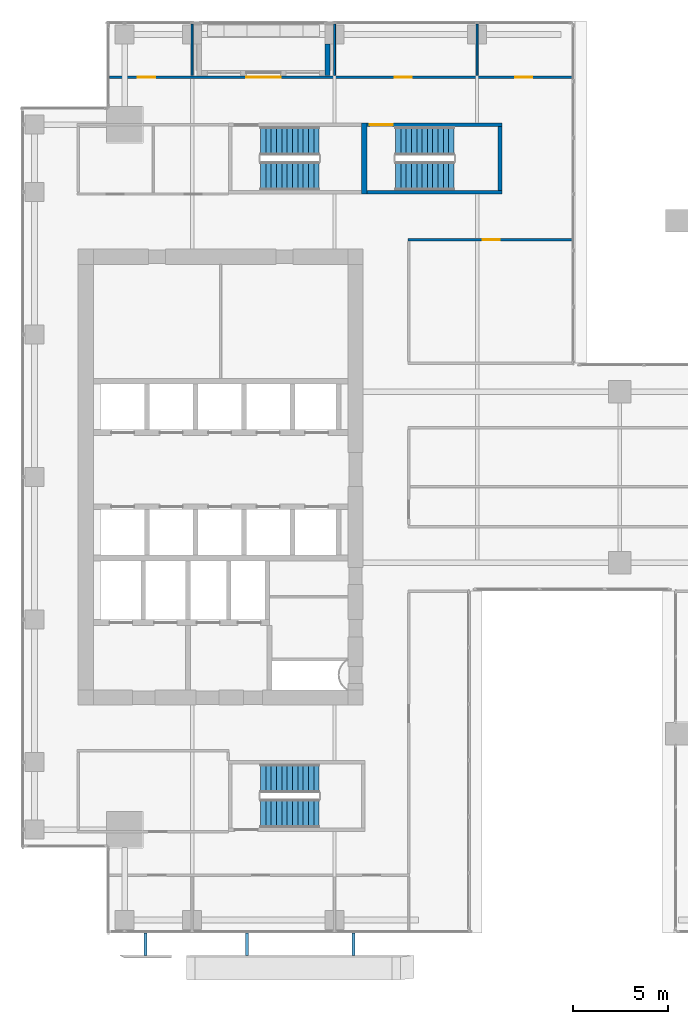
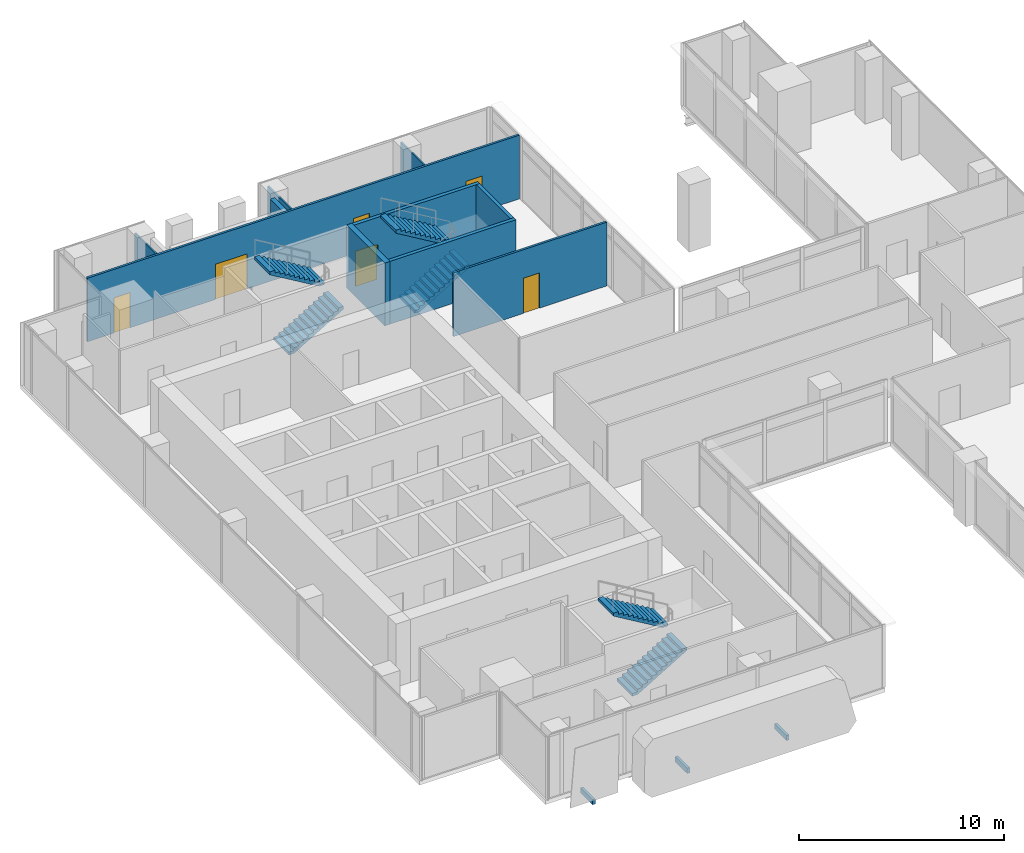
# One storey, part 35 of 38: 10 walls, 6 doors, 6 stair flights, 3 discrete accessories, 6 openings, 3 elements without a shape of their own.
"""IFC4 building model written with IfcOpenShell, lengths in metres."""

from ifc_helpers import new_model, si_unit, direction, frame, frame_2d, origin, origin_2d, place, context, subcontext, project, spatial, polyline, rectangle, outline, extrude, source, transform, mapped, material, layer, layer_set, type_object, element, fill, aggregate, save


model = new_model("IFC4")

# Units and contexts
model_context = context("Model", 3, precision=1e-05, world=origin(), true_north=direction((0.0, 1.0)))
body_context = subcontext(model_context, "Body", "Model", "MODEL_VIEW")
ifc_project = project(units=[si_unit("LENGTHUNIT", "METRE"), si_unit("AREAUNIT", "SQUARE_METRE"), si_unit("VOLUMEUNIT", "CUBIC_METRE"), si_unit("PLANEANGLEUNIT", "RADIAN"), si_unit("MASSUNIT", "GRAM", prefix="KILO")], contexts=[model_context])

# Site, building, storey
site_placement = place(None, origin())
site = spatial("IfcSite", under=ifc_project, at=site_placement, CompositionType="ELEMENT")
building_placement = place(site_placement, origin())
building = spatial("IfcBuilding", under=site, at=building_placement, Name="Khomas Fold Tower", CompositionType="ELEMENT")
storey_placement = place(building_placement, frame((0.0, 0.0, 172.699951171875)))
storey = spatial("IfcBuildingStorey", under=building, at=storey_placement, Name="L37", CompositionType="ELEMENT", Elevation=172.699951171875)

# Wall, opening, door
ifc_material_1 = material(Name="Concrete C50/60", Category="concrete")
ifc_layer_1 = layer(ifc_material_1, 0.199951171875)
ifc_layer_set_1 = layer_set([ifc_layer_1], Name="Concrete C50/60")
wall_type_1 = type_object("IfcWallType", Name="Stair wall 200", PredefinedType="SHEAR", material=ifc_layer_set_1)
shared_shape_1 = source(origin(), body_context, "Body", "SweptSolid", [
    extrude(rectangle(XDim=7.10009765625, YDim=0.199951171875, at=frame_2d((3.550048828125, 0.0))), origin(), (0.0, 0.0, 1.0), 3.75),
])
wall_1_placement = place(storey_placement, frame((21.199951171875, 45.550048828125, 0.0), z_axis=(0.0, 0.0, 1.0), x_axis=(1.0, 0.0, 0.0)))
wall_1 = element("IfcWall", 1, at=wall_1_placement, inside=storey, type_object=wall_type_1, Name="Stair wall SW-ST3-N", PredefinedType="SHEAR", context=body_context, shape_type="MappedRepresentation", body=[
    mapped(shared_shape_1, transform((0.0, 0.0, 0.0))),
])
shared_shape_2 = source(origin(), body_context, "Body", "SweptSolid", [
    extrude(rectangle(XDim=1.199951171875, YDim=2.10009765625, at=frame_2d((0.60009765625, 1.050048828125))), frame((0.0, 0.10986328125, 0.0), z_axis=(0.0, -1.0, 0.0), x_axis=(1.0, 0.0, 0.0)), (0.0, 0.0, 1.0), 0.219970703125),
])
opening_1_placement = place(wall_1_placement, frame((0.14990234375, 0.0, 0.0)))
opening_1 = element("IfcOpeningElement", 2, at=opening_1_placement, cuts=wall_1, Name="Opening SD-ST3", PredefinedType="OPENING", context=body_context, shape_type="MappedRepresentation", body=[
    mapped(shared_shape_2, transform((0.0, 0.0, 0.0))),
])
ifc_material_2 = material(Name="Steel door leaf", Category="steel")
door_type_1 = type_object("IfcDoorType", Name="Stair door 1200x2100 left-hand", OperationType="SINGLE_SWING_LEFT", PredefinedType="DOOR", material=ifc_material_2)
shared_shape_3 = source(origin(), body_context, "Body", "SweptSolid", [
    extrude(rectangle(XDim=1.199951171875, YDim=2.10009765625, at=frame_2d((0.60009765625, 1.050048828125))), frame((0.0, 0.02490234375, 0.0), z_axis=(0.0, -1.0, 0.0), x_axis=(1.0, 0.0, 0.0)), (0.0, 0.0, 1.0), 0.050048828125),
])
door_1_placement = place(opening_1_placement, origin())
door_1 = element("IfcDoor", 3, at=door_1_placement, inside=storey, type_object=door_type_1, Name="Stair door", OperationType="SINGLE_SWING_LEFT", OverallHeight=2.10009765625, OverallWidth=1.199951171875, PredefinedType="DOOR", context=body_context, shape_type="MappedRepresentation", body=[
    mapped(shared_shape_3, transform((0.0, 0.0, 0.0))),
])
fill(opening_1, door_1)

# Walls
wall_2_placement = place(storey_placement, frame((21.199951171875, 42.0, 0.0), z_axis=(0.0, 0.0, 1.0), x_axis=(1.0, 0.0, 0.0)))
element("IfcWall", 4, at=wall_2_placement, inside=storey, type_object=wall_type_1, Name="Stair wall SW-ST3-S", PredefinedType="SHEAR", context=body_context, shape_type="MappedRepresentation", body=[
    mapped(shared_shape_1, transform((0.0, 0.0, 0.0))),
])
ifc_material_3 = material(Name="Concrete C50/60", Category="concrete")
ifc_layer_2 = layer(ifc_material_3, 0.300048828125)
ifc_layer_set_2 = layer_set([ifc_layer_2], Name="Concrete C50/60")
wall_type_2 = type_object("IfcWallType", Name="Stair wall 300", PredefinedType="SHEAR", material=ifc_layer_set_2)
shared_shape_4 = source(origin(), body_context, "Body", "SweptSolid", [
    extrude(rectangle(XDim=3.75, YDim=0.300048828125, at=frame_2d((1.875, 0.0))), origin(), (0.0, 0.0, 1.0), 3.75),
])
wall_3_placement = place(storey_placement, frame((21.050048828125, 41.89990234375, 0.0), z_axis=(0.0, 0.0, 1.0), x_axis=(0.0, 1.0, 0.0)))
element("IfcWall", 5, at=wall_3_placement, inside=storey, type_object=wall_type_2, Name="Stair wall SW-ST1-E", PredefinedType="SHEAR", context=body_context, shape_type="MappedRepresentation", body=[
    mapped(shared_shape_4, transform((0.0, 0.0, 0.0))),
])
shared_shape_5 = source(origin(), body_context, "Body", "SweptSolid", [
    extrude(rectangle(XDim=3.349853515625, YDim=0.199951171875, at=frame_2d((1.6748046875, 0.0))), origin(), (0.0, 0.0, 1.0), 3.75),
])
wall_4_placement = place(storey_placement, frame((28.199951171875, 42.10009765625, 0.0), z_axis=(0.0, 0.0, 1.0), x_axis=(0.0, 1.0, 0.0)))
element("IfcWall", 6, at=wall_4_placement, inside=storey, type_object=wall_type_1, Name="Stair wall SW-ST3-E", PredefinedType="SHEAR", context=body_context, shape_type="MappedRepresentation", body=[
    mapped(shared_shape_5, transform((0.0, 0.0, 0.0))),
])
ifc_material_4 = material(Name="Natural stone", Category="masonry")
ifc_layer_3 = layer(ifc_material_4, 0.0400390625)
ifc_material_5 = material(Name="Mineral wool insulation", Category="insulation")
ifc_layer_4 = layer(ifc_material_5, 0.10009765625)
ifc_material_6 = material(Name="Masonry", Category="masonry")
ifc_layer_5 = layer(ifc_material_6, 0.110107421875)
ifc_layer_set_3 = layer_set([ifc_layer_3, ifc_layer_4, ifc_layer_5], Name="Stone-faced insulated masonry")
wall_type_3 = type_object("IfcWallType", Name="BL-Balcony wall", PredefinedType="SOLIDWALL", material=ifc_layer_set_3)
shared_shape_6 = source(origin(), body_context, "Body", "SweptSolid", [
    extrude(rectangle(XDim=1.650146484375, YDim=0.25, at=frame_2d((0.8251953125, 0.0))), origin(), (0.0, 0.0, 1.0), 3.449951171875),
])
wall_5_placement = place(storey_placement, frame((19.125, 49.800048828125, 0.0), z_axis=(0.0, 0.0, 1.0), x_axis=(0.0, -1.0, 0.0)))
element("IfcWall", 7, at=wall_5_placement, inside=storey, type_object=wall_type_3, Name="Balcony return wall BAL-L37-N1-hi", PredefinedType="SOLIDWALL", context=body_context, shape_type="MappedRepresentation", body=[
    mapped(shared_shape_6, transform((0.0, 0.0, 0.0))),
])
ifc_material_7 = material(Name="Plasterboard partition")
ifc_layer_6 = layer(ifc_material_7, 0.10009765625)
ifc_layer_set_4 = layer_set([ifc_layer_6], Name="Plasterboard partition")
wall_type_4 = type_object("IfcWallType", Name="Partition PW1 100", PredefinedType="PARTITIONING", material=ifc_layer_set_4)
shared_shape_7 = source(origin(), body_context, "Body", "SweptSolid", [
    extrude(rectangle(XDim=2.7001953125, YDim=0.10009765625, at=frame_2d((1.35009765625, 0.0))), origin(), (0.0, 0.0, 1.0), 3.25),
])
wall_6_placement = place(storey_placement, frame((12.0, 48.14990234375, 0.0), z_axis=(0.0, 0.0, 1.0), x_axis=(0.0, 1.0, 0.0)))
element("IfcWall", 8, at=wall_6_placement, inside=storey, type_object=wall_type_4, Name="Partition", PredefinedType="PARTITIONING", context=body_context, shape_type="MappedRepresentation", body=[
    mapped(shared_shape_7, transform((0.0, 0.0, 0.0))),
])
shared_shape_8 = source(origin(), body_context, "Body", "SweptSolid", [
    extrude(rectangle(XDim=2.7001953125, YDim=0.10009765625, at=frame_2d((1.35009765625, 0.0))), origin(), (0.0, 0.0, 1.0), 3.420166015625),
])
for number, where, z_axis, x_axis, name in (
    (9, (19.5, 48.14990234375, 0.0), (0.0, 0.0, 1.0), (0.0, 1.0, 0.0), "Partition"),
    (10, (27.0, 48.14990234375, 0.0), (0.0, 0.0, 1.0), (0.0, 1.0, 0.0), "Partition"),
):
    element("IfcWall", number, at=place(storey_placement, frame(where, z_axis=z_axis, x_axis=x_axis)), inside=storey, type_object=wall_type_4, Name=name, PredefinedType="PARTITIONING", context=body_context, shape_type="MappedRepresentation", body=[
        mapped(shared_shape_8, transform((0.0, 0.0, 0.0))),
    ])

# Wall, opening, door
ifc_material_8 = material(Name="Plasterboard partition")
ifc_layer_7 = layer(ifc_material_8, 0.125)
ifc_layer_set_5 = layer_set([ifc_layer_7], Name="Plasterboard partition")
wall_type_5 = type_object("IfcWallType", Name="Partition PW2 125", PredefinedType="PARTITIONING", material=ifc_layer_set_5)
shared_shape_9 = source(origin(), body_context, "Body", "SweptSolid", [
    extrude(rectangle(XDim=8.64990234375, YDim=0.125, at=frame_2d((4.324951171875, 0.0))), origin(), (0.0, 0.0, 1.0), 3.800048828125),
])
wall_7_placement = place(storey_placement, frame((23.35009765625, 39.5, 0.0), z_axis=(0.0, 0.0, 1.0), x_axis=(1.0, 0.0, 0.0)))
wall_7 = element("IfcWall", 11, at=wall_7_placement, inside=storey, type_object=wall_type_5, Name="Partition", PredefinedType="PARTITIONING", context=body_context, shape_type="MappedRepresentation", body=[
    mapped(shared_shape_9, transform((0.0, 0.0, 0.0))),
])
shared_shape_10 = source(origin(), body_context, "Body", "SweptSolid", [
    extrude(rectangle(XDim=0.89990234375, YDim=2.10009765625, at=frame_2d((0.449951171875, 1.050048828125))), frame((0.0, 0.072509765625, 0.0), z_axis=(0.0, -1.0, 0.0), x_axis=(1.0, 0.0, 0.0)), (0.0, 0.0, 1.0), 0.14501953125),
])
opening_2_placement = place(wall_7_placement, frame((3.949951171875, 0.0, 0.0)))
opening_2 = element("IfcOpeningElement", 12, at=opening_2_placement, cuts=wall_7, Name="Opening 0007", PredefinedType="OPENING", context=body_context, shape_type="MappedRepresentation", body=[
    mapped(shared_shape_10, transform((0.0, 0.0, 0.0))),
])
ifc_material_9 = material(Name="Timber door leaf", Category="wood")
door_type_2 = type_object("IfcDoorType", Name="Door 900x2100 left-hand", OperationType="SINGLE_SWING_LEFT", PredefinedType="DOOR", material=ifc_material_9)
shared_shape_11 = source(origin(), body_context, "Body", "SweptSolid", [
    extrude(rectangle(XDim=0.89990234375, YDim=2.10009765625, at=frame_2d((0.449951171875, 1.050048828125))), frame((0.0, 0.02490234375, 0.0), z_axis=(0.0, -1.0, 0.0), x_axis=(1.0, 0.0, 0.0)), (0.0, 0.0, 1.0), 0.050048828125),
])
door_2_placement = place(opening_2_placement, origin())
door_2 = element("IfcDoor", 13, at=door_2_placement, inside=storey, type_object=door_type_2, Name="Door", OperationType="SINGLE_SWING_LEFT", OverallHeight=2.10009765625, OverallWidth=0.89990234375, PredefinedType="DOOR", context=body_context, shape_type="MappedRepresentation", body=[
    mapped(shared_shape_11, transform((0.0, 0.0, 0.0))),
])
fill(opening_2, door_2)

# Wall, openings, doors
shared_shape_12 = source(origin(), body_context, "Body", "SweptSolid", [
    extrude(rectangle(XDim=24.35009765625, YDim=0.125, at=frame_2d((12.175048828125, 0.0))), origin(), (0.0, 0.0, 1.0), 3.800048828125),
])
wall_8_placement = place(storey_placement, frame((7.64990234375, 48.050048828125, 0.0), z_axis=(0.0, 0.0, 1.0), x_axis=(1.0, 0.0, 0.0)))
wall_8 = element("IfcWall", 14, at=wall_8_placement, inside=storey, type_object=wall_type_5, Name="Partition", PredefinedType="PARTITIONING", context=body_context, shape_type="MappedRepresentation", body=[
    mapped(shared_shape_12, transform((0.0, 0.0, 0.0))),
])
opening_3_placement = place(wall_8_placement, frame((1.5, 0.0, 0.0)))
opening_3 = element("IfcOpeningElement", 15, at=opening_3_placement, cuts=wall_8, Name="Opening 0008", PredefinedType="OPENING", context=body_context, shape_type="MappedRepresentation", body=[
    mapped(shared_shape_10, transform((0.0, 0.0, 0.0))),
])
shared_shape_13 = source(origin(), body_context, "Body", "SweptSolid", [
    extrude(rectangle(XDim=1.800048828125, YDim=2.10009765625, at=frame_2d((0.89990234375, 1.050048828125))), frame((0.0, 0.072509765625, 0.0), z_axis=(0.0, -1.0, 0.0), x_axis=(1.0, 0.0, 0.0)), (0.0, 0.0, 1.0), 0.14501953125),
])
opening_4_placement = place(wall_8_placement, frame((7.199951171875, 0.0, 0.0)))
opening_4 = element("IfcOpeningElement", 16, at=opening_4_placement, cuts=wall_8, Name="Opening 0022", PredefinedType="OPENING", context=body_context, shape_type="MappedRepresentation", body=[
    mapped(shared_shape_13, transform((0.0, 0.0, 0.0))),
])
opening_5_placement = place(wall_8_placement, frame((15.0, 0.0, 0.0)))
opening_5 = element("IfcOpeningElement", 17, at=opening_5_placement, cuts=wall_8, Name="Opening 0008", PredefinedType="OPENING", context=body_context, shape_type="MappedRepresentation", body=[
    mapped(shared_shape_10, transform((0.0, 0.0, 0.0))),
])
opening_6_placement = place(wall_8_placement, frame((21.35009765625, 0.0, 0.0)))
opening_6 = element("IfcOpeningElement", 18, at=opening_6_placement, cuts=wall_8, Name="Opening 0008", PredefinedType="OPENING", context=body_context, shape_type="MappedRepresentation", body=[
    mapped(shared_shape_10, transform((0.0, 0.0, 0.0))),
])
ifc_material_10 = material(Name="Timber door leaf", Category="wood")
door_type_3 = type_object("IfcDoorType", Name="Door 900x2100 right-hand", OperationType="SINGLE_SWING_RIGHT", PredefinedType="DOOR", material=ifc_material_10)
door_3_placement = place(opening_3_placement, origin())
door_3 = element("IfcDoor", 19, at=door_3_placement, inside=storey, type_object=door_type_3, Name="Door", OperationType="SINGLE_SWING_RIGHT", OverallHeight=2.10009765625, OverallWidth=0.89990234375, PredefinedType="DOOR", context=body_context, shape_type="MappedRepresentation", body=[
    mapped(shared_shape_11, transform((0.0, 0.0, 0.0))),
])
fill(opening_3, door_3)
door_4_placement = place(opening_5_placement, origin())
door_4 = element("IfcDoor", 20, at=door_4_placement, inside=storey, type_object=door_type_3, Name="Door", OperationType="SINGLE_SWING_RIGHT", OverallHeight=2.10009765625, OverallWidth=0.89990234375, PredefinedType="DOOR", context=body_context, shape_type="MappedRepresentation", body=[
    mapped(shared_shape_11, transform((0.0, 0.0, 0.0))),
])
fill(opening_5, door_4)
door_5_placement = place(opening_6_placement, origin())
door_5 = element("IfcDoor", 21, at=door_5_placement, inside=storey, type_object=door_type_3, Name="Door", OperationType="SINGLE_SWING_RIGHT", OverallHeight=2.10009765625, OverallWidth=0.89990234375, PredefinedType="DOOR", context=body_context, shape_type="MappedRepresentation", body=[
    mapped(shared_shape_11, transform((0.0, 0.0, 0.0))),
])
fill(opening_6, door_5)
ifc_material_11 = material(Name="Timber door leaf", Category="wood")
door_type_4 = type_object("IfcDoorType", Name="Door 1800x2100", OperationType="DOUBLE_DOOR_SINGLE_SWING", PredefinedType="DOOR", material=ifc_material_11)
shared_shape_14 = source(origin(), body_context, "Body", "SweptSolid", [
    extrude(rectangle(XDim=1.800048828125, YDim=2.10009765625, at=frame_2d((0.89990234375, 1.050048828125))), frame((0.0, 0.02490234375, 0.0), z_axis=(0.0, -1.0, 0.0), x_axis=(1.0, 0.0, 0.0)), (0.0, 0.0, 1.0), 0.050048828125),
])
door_6_placement = place(opening_4_placement, origin())
door_6 = element("IfcDoor", 22, at=door_6_placement, inside=storey, type_object=door_type_4, Name="Door", OperationType="DOUBLE_DOOR_SINGLE_SWING", OverallHeight=2.10009765625, OverallWidth=1.800048828125, PredefinedType="DOOR", context=body_context, shape_type="MappedRepresentation", body=[
    mapped(shared_shape_14, transform((0.0, 0.0, 0.0))),
])
fill(opening_4, door_6)

# Stair, stair flights
ifc_material_12 = material(Name="Concrete C40/50", Category="concrete")
stair_type_1 = type_object("IfcStairType", Name="Stair ST1", PredefinedType="HALF_TURN_STAIR", material=ifc_material_12)
stair_1_placement = place(storey_placement, origin())
stair_1 = element("IfcStair", 23, at=stair_1_placement, inside=storey, type_object=stair_type_1, Name="L37 ST1", PredefinedType="HALF_TURN_STAIR")
ifc_material_13 = material(Name="Concrete C40/50", Category="concrete")
stair_flight_type_1 = type_object("IfcStairFlightType", Name="Stair flight 1500 ST1", PredefinedType="STRAIGHT", material=ifc_material_13)
shared_shape_15 = source(origin(), body_context, "Body", "SweptSolid", [
    extrude(outline(polyline([(0.0, 0.0), (0.0, 0.012939453125), (0.0, 0.025634765625), (0.0, 0.03857421875), (0.0, 0.05126953125), (0.0, 0.064208984375), (0.0, 0.076904296875), (0.0, 0.08984375), (0.0, 0.1025390625), (0.0, 0.115478515625), (0.0, 0.128173828125), (0.0, 0.14111328125), (0.0, 0.15380859375), (0.0, 0.166748046875), (0.280029296875, 0.166748046875), (0.280029296875, 0.333251953125), (0.56005859375, 0.333251953125), (0.56005859375, 0.5), (0.840087890625, 0.5), (0.840087890625, 0.666748046875), (1.1201171875, 0.666748046875), (1.1201171875, 0.833251953125), (1.39990234375, 0.833251953125), (1.39990234375, 1.0), (1.679931640625, 1.0), (1.679931640625, 1.166748046875), (1.9599609375, 1.166748046875), (1.9599609375, 1.333251953125), (2.239990234375, 1.333251953125), (2.239990234375, 1.5), (2.52001953125, 1.5), (2.52001953125, 1.666748046875), (2.800048828125, 1.666748046875), (2.800048828125, 1.833251953125), (3.080078125, 1.833251953125), (3.080078125, 2.0), (3.080078125, 1.973876953125), (3.080078125, 1.947509765625), (3.080078125, 1.92138671875), (3.080078125, 1.89501953125), (3.080078125, 1.868896484375), (3.080078125, 1.842529296875), (3.080078125, 1.81640625), (3.080078125, 1.7900390625), (3.080078125, 1.763916015625), (3.080078125, 1.737548828125), (3.080078125, 1.71142578125), (3.080078125, 1.68505859375), (3.080078125, 1.658935546875), (0.29296875, 0.0), (0.0, 0.0)])), frame((0.0, 0.75, 0.0), z_axis=(0.0, -1.0, 0.0), x_axis=(1.0, 0.0, 0.0)), (0.0, 0.0, 1.0), 1.5),
])
stair_flight_1_placement = place(storey_placement, frame((15.60009765625, 42.85009765625, 0.0), z_axis=(0.0, 0.0, 1.0), x_axis=(1.0, 0.0, 0.0)))
stair_flight_1 = element("IfcStairFlight", 24, at=stair_flight_1_placement, type_object=stair_flight_type_1, Name="ST1 flight 1", NumberOfRisers=12, NumberOfTreads=11, PredefinedType="STRAIGHT", RiserHeight=0.166666667, TreadLength=0.28, context=body_context, shape_type="MappedRepresentation", body=[
    mapped(shared_shape_15, transform((0.0, 0.0, 0.0))),
])
stair_flight_2_placement = place(storey_placement, frame((18.679931640625, 44.699951171875, 2.0), z_axis=(0.0, 0.0, 1.0), x_axis=(-1.0, 0.0, 0.0)))
stair_flight_2 = element("IfcStairFlight", 25, at=stair_flight_2_placement, type_object=stair_flight_type_1, Name="ST1 flight 2", NumberOfRisers=12, NumberOfTreads=11, PredefinedType="STRAIGHT", RiserHeight=0.166666667, TreadLength=0.28, context=body_context, shape_type="MappedRepresentation", body=[
    mapped(shared_shape_15, transform((0.0, 0.0, 0.0))),
])
aggregate(stair_1, [stair_flight_1, stair_flight_2])

ifc_material_14 = material(Name="Concrete C40/50", Category="concrete")
stair_type_2 = type_object("IfcStairType", Name="Stair ST2", PredefinedType="HALF_TURN_STAIR", material=ifc_material_14)
stair_2_placement = place(storey_placement, origin())
stair_2 = element("IfcStair", 26, at=stair_2_placement, inside=storey, type_object=stair_type_2, Name="L37 ST2", PredefinedType="HALF_TURN_STAIR")
ifc_material_15 = material(Name="Concrete C40/50", Category="concrete")
stair_flight_type_2 = type_object("IfcStairFlightType", Name="Stair flight 1500 ST2", PredefinedType="STRAIGHT", material=ifc_material_15)
stair_flight_3_placement = place(storey_placement, frame((15.60009765625, 9.300048828125, 0.0), z_axis=(0.0, 0.0, 1.0), x_axis=(1.0, 0.0, 0.0)))
stair_flight_3 = element("IfcStairFlight", 27, at=stair_flight_3_placement, type_object=stair_flight_type_2, Name="ST2 flight 1", NumberOfRisers=12, NumberOfTreads=11, PredefinedType="STRAIGHT", RiserHeight=0.166666667, TreadLength=0.28, context=body_context, shape_type="MappedRepresentation", body=[
    mapped(shared_shape_15, transform((0.0, 0.0, 0.0))),
])
stair_flight_4_placement = place(storey_placement, frame((18.679931640625, 11.14990234375, 2.0), z_axis=(0.0, 0.0, 1.0), x_axis=(-1.0, 0.0, 0.0)))
stair_flight_4 = element("IfcStairFlight", 28, at=stair_flight_4_placement, type_object=stair_flight_type_2, Name="ST2 flight 2", NumberOfRisers=12, NumberOfTreads=11, PredefinedType="STRAIGHT", RiserHeight=0.166666667, TreadLength=0.28, context=body_context, shape_type="MappedRepresentation", body=[
    mapped(shared_shape_15, transform((0.0, 0.0, 0.0))),
])
aggregate(stair_2, [stair_flight_3, stair_flight_4])

ifc_material_16 = material(Name="Concrete C40/50", Category="concrete")
stair_type_3 = type_object("IfcStairType", Name="Stair ST3", PredefinedType="HALF_TURN_STAIR", material=ifc_material_16)
stair_3_placement = place(storey_placement, origin())
stair_3 = element("IfcStair", 29, at=stair_3_placement, inside=storey, type_object=stair_type_3, Name="L37 ST3", PredefinedType="HALF_TURN_STAIR")
ifc_material_17 = material(Name="Concrete C40/50", Category="concrete")
stair_flight_type_3 = type_object("IfcStairFlightType", Name="Stair flight 1500 ST3", PredefinedType="STRAIGHT", material=ifc_material_17)
stair_flight_5_placement = place(storey_placement, frame((22.699951171875, 42.85009765625, 0.0), z_axis=(0.0, 0.0, 1.0), x_axis=(1.0, 0.0, 0.0)))
stair_flight_5 = element("IfcStairFlight", 30, at=stair_flight_5_placement, type_object=stair_flight_type_3, Name="ST3 flight 1", NumberOfRisers=12, NumberOfTreads=11, PredefinedType="STRAIGHT", RiserHeight=0.166666667, TreadLength=0.28, context=body_context, shape_type="MappedRepresentation", body=[
    mapped(shared_shape_15, transform((0.0, 0.0, 0.0))),
])
stair_flight_6_placement = place(storey_placement, frame((25.780029296875, 44.699951171875, 2.0), z_axis=(0.0, 0.0, 1.0), x_axis=(-1.0, 0.0, 0.0)))
stair_flight_6 = element("IfcStairFlight", 31, at=stair_flight_6_placement, type_object=stair_flight_type_3, Name="ST3 flight 2", NumberOfRisers=12, NumberOfTreads=11, PredefinedType="STRAIGHT", RiserHeight=0.166666667, TreadLength=0.28, context=body_context, shape_type="MappedRepresentation", body=[
    mapped(shared_shape_15, transform((0.0, 0.0, 0.0))),
])
aggregate(stair_3, [stair_flight_5, stair_flight_6])

# Discrete accessories
ifc_material_18 = material(Name="Stainless steel", Category="steel")
discrete_accessory_type = type_object("IfcDiscreteAccessoryType", Name="SK-Stainless steel stone bracket", PredefinedType="BRACKET", material=ifc_material_18)
shared_shape_16 = source(origin(), body_context, "Body", "SweptSolid", [
    extrude(rectangle(XDim=1.17626953125, YDim=0.14990234375, at=origin_2d()), origin(), (0.0, 0.0, 1.0), 0.31005859375),
])
for number, where, z_axis, x_axis, name in (
    (32, (14.881103515625, 2.411865234375, -0.25), (0.0, 0.0, 1.0), (0.0, -1.0, 0.0), "Stone bracket L37 SS03-1-1"),
    (33, (20.4833984375, 2.411865234375, -0.25), (0.0, 0.0, 1.0), (0.0, -1.0, 0.0), "Stone bracket L37 SS03-1-2"),
    (34, (9.550537109375, 2.411865234375, -0.25), (0.0, 0.0, 1.0), (0.0, -1.0, 0.0), "Stone bracket L37 SG099-1-1"),
):
    element("IfcDiscreteAccessory", number, at=place(storey_placement, frame(where, z_axis=z_axis, x_axis=x_axis)), inside=storey, type_object=discrete_accessory_type, Name=name, PredefinedType="BRACKET", context=body_context, shape_type="MappedRepresentation", body=[
        mapped(shared_shape_16, transform((0.0, 0.0, 0.0))),
    ])

save(model, "model.ifc")
